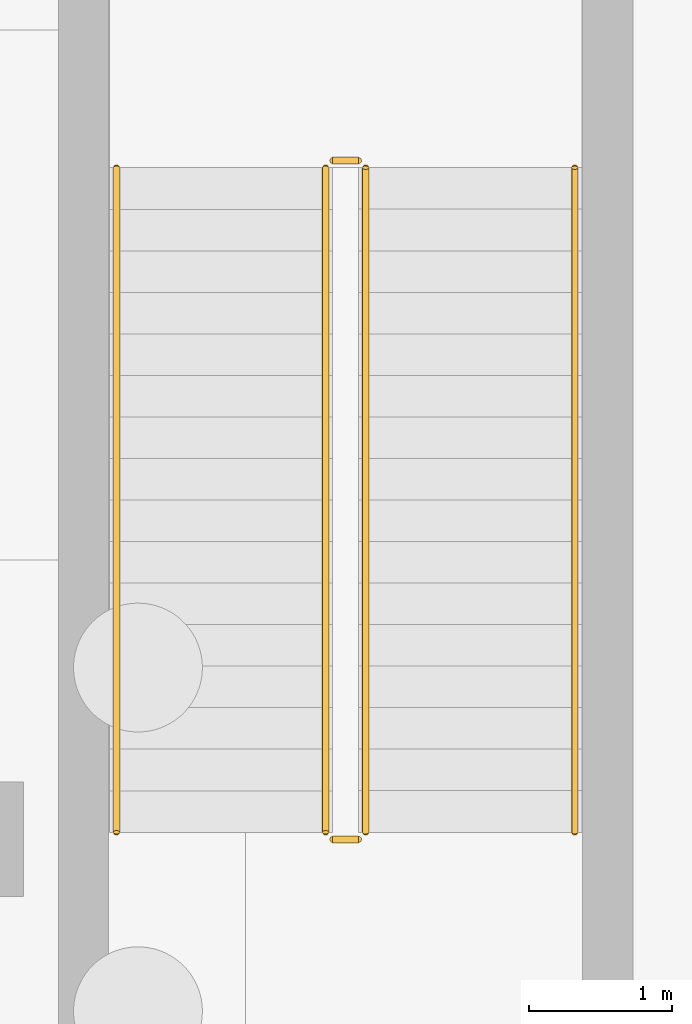
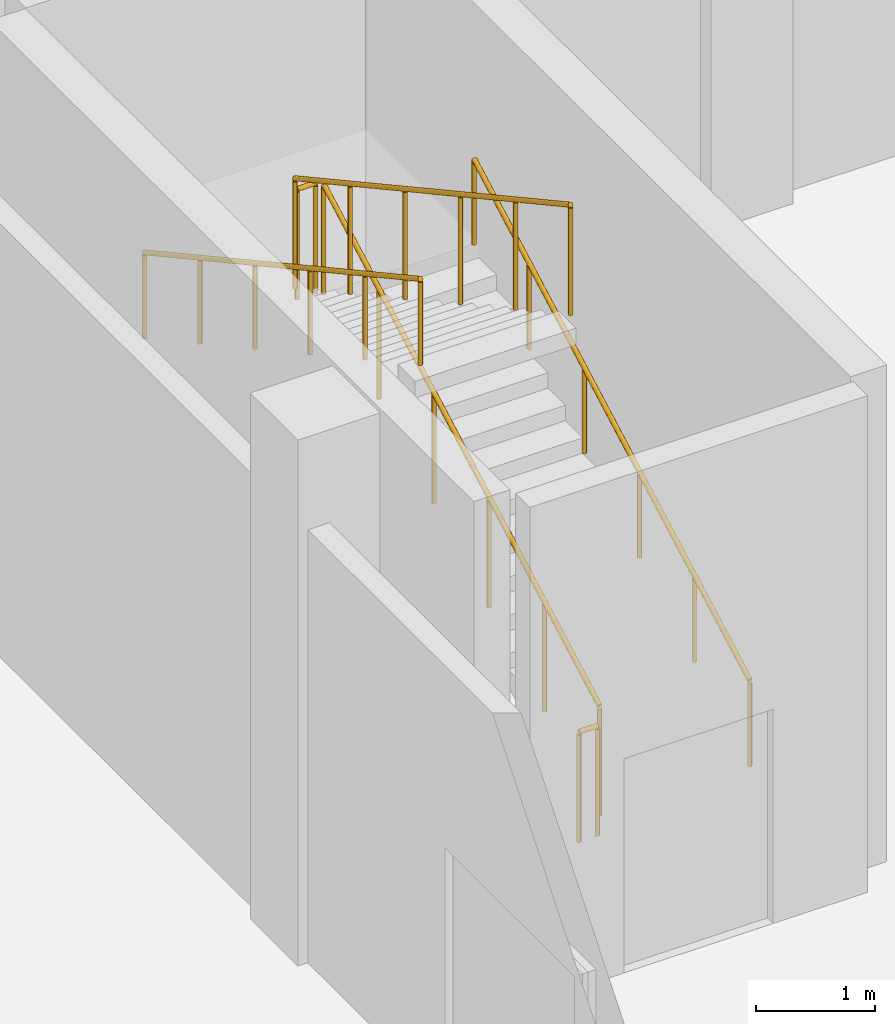
# One storey, part 16 of 20: 6 railings.
"""IFC4 building model written with IfcOpenShell, lengths in metres."""

from ifc_helpers import new_model, si_unit, direction, frame, origin, origin_2d, place, context, subcontext, project, spatial, circle, extrude, material, type_object, element, save


model = new_model("IFC4")

# Units and contexts
model_context = context("Model", 3, precision=1e-05, world=origin(), true_north=direction((0.0, 1.0)))
body_context = subcontext(model_context, "Body", "Model", "MODEL_VIEW")
ifc_project = project(units=[si_unit("LENGTHUNIT", "METRE"), si_unit("AREAUNIT", "SQUARE_METRE"), si_unit("VOLUMEUNIT", "CUBIC_METRE"), si_unit("PLANEANGLEUNIT", "RADIAN"), si_unit("MASSUNIT", "GRAM", prefix="KILO")], contexts=[model_context])

# Site, building, storey
site_placement = place(None, origin())
site = spatial("IfcSite", under=ifc_project, at=site_placement, CompositionType="ELEMENT")
building_placement = place(site_placement, origin())
building = spatial("IfcBuilding", under=site, at=building_placement, Name="Shengluoqiao Park Theatre", CompositionType="ELEMENT")
storey_placement = place(building_placement, frame((0.0, 0.0, -5.39990234375)))
storey = spatial("IfcBuildingStorey", under=building, at=storey_placement, Name="B1", CompositionType="ELEMENT", Elevation=-5.39990234375)

# Railings
ifc_material_1 = material(Name="Painted steel", Category="steel")
railing_type_1 = type_object("IfcRailingType", Name="INT-RL-STGRD", PredefinedType="GUARDRAIL", material=ifc_material_1)
railing_1_placement = place(storey_placement, frame((30.389892578125, 15.25, 0.15869140625)))
element("IfcRailing", 1, at=railing_1_placement, inside=storey, type_object=railing_type_1, Name="B1 ST-04 stair guard 1", PredefinedType="GUARDRAIL", context=body_context, shape_type="SweptSolid", body=[
    extrude(circle(Radius=0.02392578125, at=origin_2d()), frame((0.0, 0.0, 1.1259765625), z_axis=(0.0, 0.877067103421, 0.480367875796), x_axis=(-1.0, 0.0, 0.0)), (0.0, 0.0, 1.0), 5.290283203125),
    extrude(circle(Radius=0.02099609375, at=origin_2d()), origin(), (0.0, 0.0, 1.0), 1.101806640625),
    extrude(circle(Radius=0.02099609375, at=origin_2d()), frame((0.0, 0.927978515625, 0.50830078125)), (0.0, 0.0, 1.0), 1.101806640625),
    extrude(circle(Radius=0.02099609375, at=origin_2d()), frame((0.0, 1.85595703125, 1.0166015625)), (0.0, 0.0, 1.0), 1.101806640625),
    extrude(circle(Radius=0.02099609375, at=origin_2d()), frame((0.0, 2.783935546875, 1.524658203125)), (0.0, 0.0, 1.0), 1.101806640625),
    extrude(circle(Radius=0.02099609375, at=origin_2d()), frame((0.0, 3.7119140625, 2.032958984375)), (0.0, 0.0, 1.0), 1.101806640625),
    extrude(circle(Radius=0.02099609375, at=origin_2d()), frame((0.0, 4.639892578125, 2.541259765625)), (0.0, 0.0, 1.0), 1.101806640625),
])
railing_2_placement = place(storey_placement, frame((30.340087890625, 19.93994140625, 2.699951171875)))
element("IfcRailing", 2, at=railing_2_placement, inside=storey, type_object=railing_type_1, Name="B1 ST-04 stair guard 2", PredefinedType="GUARDRAIL", context=body_context, shape_type="SweptSolid", body=[
    extrude(circle(Radius=0.02392578125, at=origin_2d()), frame((0.0, 0.0, 1.1259765625), z_axis=(-1.0, 0.0, 0.0), x_axis=(0.0, -1.0, 0.0)), (0.0, 0.0, 1.0), 0.18017578125),
    extrude(circle(Radius=0.02099609375, at=origin_2d()), origin(), (0.0, 0.0, 1.0), 1.101806640625),
    extrude(circle(Radius=0.02099609375, at=origin_2d()), frame((-0.18017578125, 0.0, 0.0)), (0.0, 0.0, 1.0), 1.101806640625),
])
railing_3_placement = place(storey_placement, frame((30.110107421875, 19.889892578125, 2.858642578125)))
element("IfcRailing", 3, at=railing_3_placement, inside=storey, type_object=railing_type_1, Name="B1 ST-04 stair guard 3", PredefinedType="GUARDRAIL", context=body_context, shape_type="SweptSolid", body=[
    extrude(circle(Radius=0.02392578125, at=origin_2d()), frame((0.0, 0.0, 1.1259765625), z_axis=(0.0, -0.877067103421, 0.480367875796), x_axis=(1.0, 0.0, 0.0)), (0.0, 0.0, 1.0), 5.290283203125),
    extrude(circle(Radius=0.02099609375, at=origin_2d()), origin(), (0.0, 0.0, 1.0), 1.101806640625),
    extrude(circle(Radius=0.02099609375, at=origin_2d()), frame((0.0, -0.927978515625, 0.50830078125)), (0.0, 0.0, 1.0), 1.101806640625),
    extrude(circle(Radius=0.02099609375, at=origin_2d()), frame((0.0, -1.85595703125, 1.0166015625)), (0.0, 0.0, 1.0), 1.101806640625),
    extrude(circle(Radius=0.02099609375, at=origin_2d()), frame((0.0, -2.783935546875, 1.524658203125)), (0.0, 0.0, 1.0), 1.101806640625),
    extrude(circle(Radius=0.02099609375, at=origin_2d()), frame((0.0, -3.7119140625, 2.032958984375)), (0.0, 0.0, 1.0), 1.101806640625),
    extrude(circle(Radius=0.02099609375, at=origin_2d()), frame((0.0, -4.639892578125, 2.541259765625)), (0.0, 0.0, 1.0), 1.101806640625),
])
railing_4_placement = place(storey_placement, frame((30.340087890625, 15.199951171875, 0.0)))
element("IfcRailing", 4, at=railing_4_placement, inside=storey, type_object=railing_type_1, Name="B1 ST-04 stair guard 4", PredefinedType="GUARDRAIL", context=body_context, shape_type="SweptSolid", body=[
    extrude(circle(Radius=0.02392578125, at=origin_2d()), frame((0.0, 0.0, 1.1259765625), z_axis=(-1.0, 0.0, 0.0), x_axis=(0.0, -1.0, 0.0)), (0.0, 0.0, 1.0), 0.18017578125),
    extrude(circle(Radius=0.02099609375, at=origin_2d()), origin(), (0.0, 0.0, 1.0), 1.101806640625),
    extrude(circle(Radius=0.02099609375, at=origin_2d()), frame((-0.18017578125, 0.0, 0.0)), (0.0, 0.0, 1.0), 1.101806640625),
])
ifc_material_2 = material(Name="Stainless steel 304", Category="steel")
railing_type_2 = type_object("IfcRailingType", Name="INT-RL-STHR", PredefinedType="HANDRAIL", material=ifc_material_2)
railing_5_placement = place(storey_placement, frame((31.85009765625, 15.25, 0.15869140625)))
element("IfcRailing", 5, at=railing_5_placement, inside=storey, type_object=railing_type_2, Name="B1 ST-04 stair handrail 1", PredefinedType="HANDRAIL", context=body_context, shape_type="SweptSolid", body=[
    extrude(circle(Radius=0.02392578125, at=origin_2d()), frame((0.0, 0.0, 0.8759765625), z_axis=(0.0, 0.877067103421, 0.480367875796), x_axis=(-1.0, 0.0, 0.0)), (0.0, 0.0, 1.0), 5.290283203125),
    extrude(circle(Radius=0.02099609375, at=origin_2d()), origin(), (0.0, 0.0, 1.0), 0.851806640625),
    extrude(circle(Radius=0.02099609375, at=origin_2d()), frame((0.0, 0.927978515625, 0.50830078125)), (0.0, 0.0, 1.0), 0.851806640625),
    extrude(circle(Radius=0.02099609375, at=origin_2d()), frame((0.0, 1.85595703125, 1.0166015625)), (0.0, 0.0, 1.0), 0.851806640625),
    extrude(circle(Radius=0.02099609375, at=origin_2d()), frame((0.0, 2.783935546875, 1.524658203125)), (0.0, 0.0, 1.0), 0.851806640625),
    extrude(circle(Radius=0.02099609375, at=origin_2d()), frame((0.0, 3.7119140625, 2.032958984375)), (0.0, 0.0, 1.0), 0.851806640625),
    extrude(circle(Radius=0.02099609375, at=origin_2d()), frame((0.0, 4.639892578125, 2.541259765625)), (0.0, 0.0, 1.0), 0.851806640625),
])
railing_6_placement = place(storey_placement, frame((28.64990234375, 19.889892578125, 2.858642578125)))
element("IfcRailing", 6, at=railing_6_placement, inside=storey, type_object=railing_type_2, Name="B1 ST-04 stair handrail 2", PredefinedType="HANDRAIL", context=body_context, shape_type="SweptSolid", body=[
    extrude(circle(Radius=0.02392578125, at=origin_2d()), frame((0.0, 0.0, 0.8759765625), z_axis=(0.0, -0.877067103421, 0.480367875796), x_axis=(1.0, 0.0, 0.0)), (0.0, 0.0, 1.0), 5.290283203125),
    extrude(circle(Radius=0.02099609375, at=origin_2d()), origin(), (0.0, 0.0, 1.0), 0.851806640625),
    extrude(circle(Radius=0.02099609375, at=origin_2d()), frame((0.0, -0.927978515625, 0.50830078125)), (0.0, 0.0, 1.0), 0.851806640625),
    extrude(circle(Radius=0.02099609375, at=origin_2d()), frame((0.0, -1.85595703125, 1.0166015625)), (0.0, 0.0, 1.0), 0.851806640625),
    extrude(circle(Radius=0.02099609375, at=origin_2d()), frame((0.0, -2.783935546875, 1.524658203125)), (0.0, 0.0, 1.0), 0.851806640625),
    extrude(circle(Radius=0.02099609375, at=origin_2d()), frame((0.0, -3.7119140625, 2.032958984375)), (0.0, 0.0, 1.0), 0.851806640625),
    extrude(circle(Radius=0.02099609375, at=origin_2d()), frame((0.0, -4.639892578125, 2.541259765625)), (0.0, 0.0, 1.0), 0.851806640625),
])

save(model, "model.ifc")
